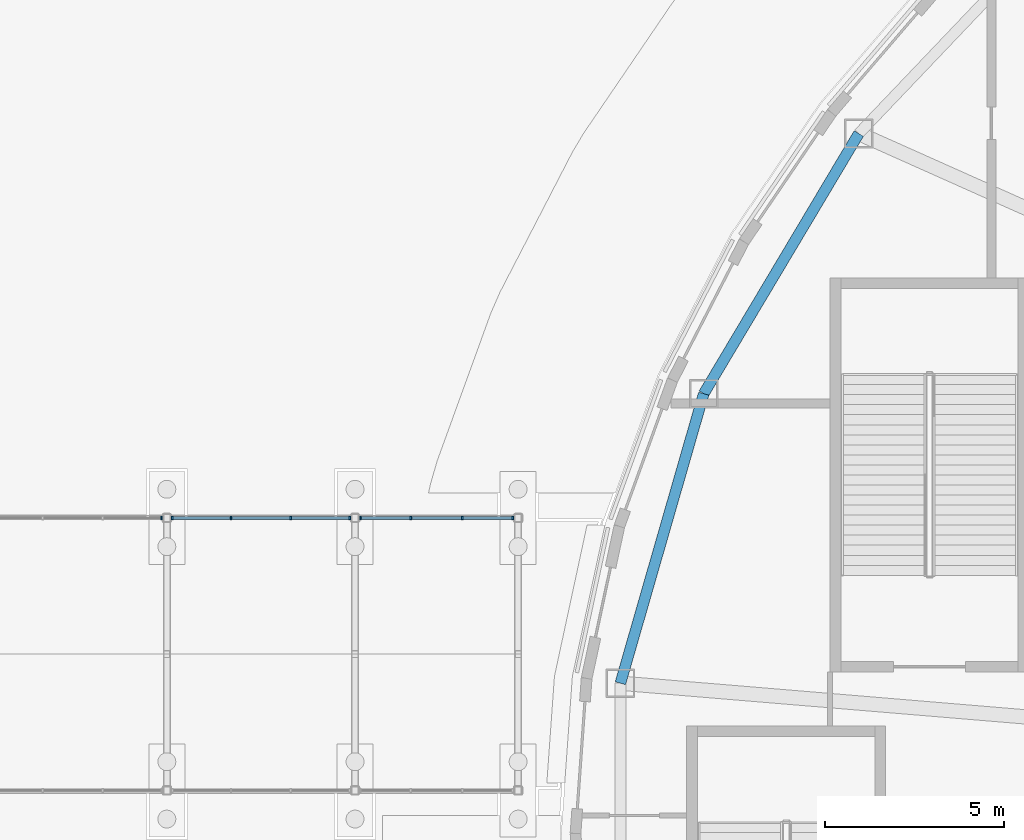
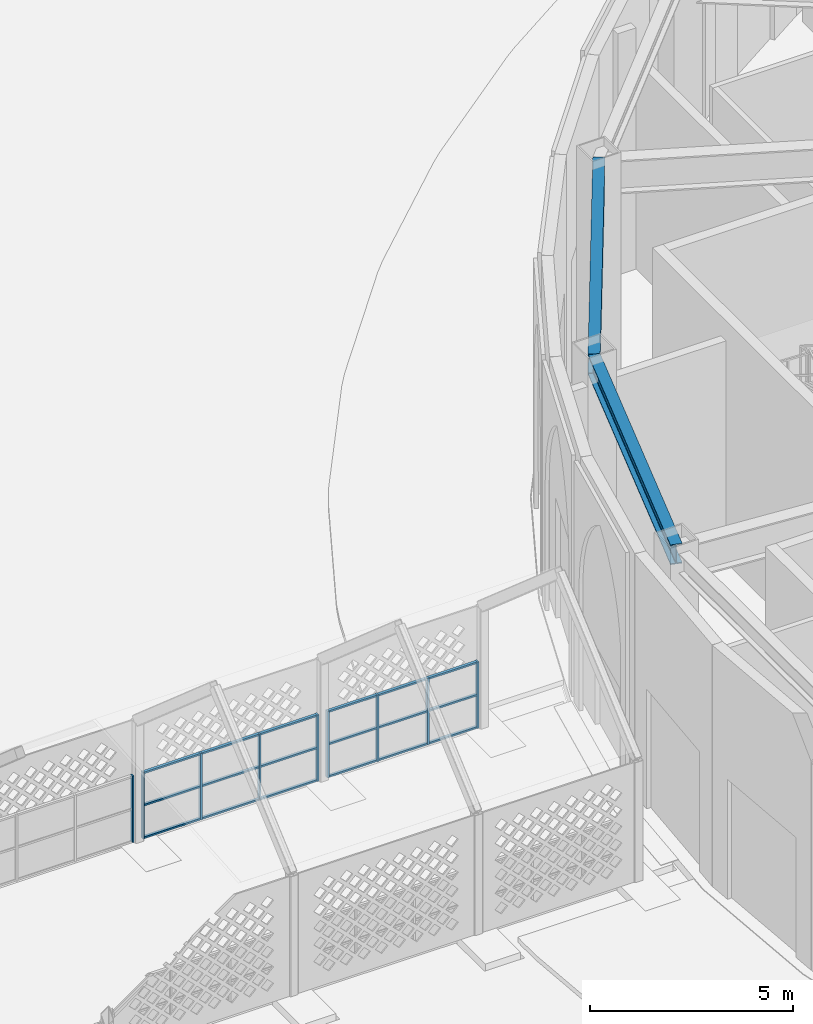
# One storey, part 29 of 79: 27 members, 2 beams, 3 elements without a shape of their own.
"""IFC4 building model written with IfcOpenShell, lengths in metres."""

from ifc_helpers import new_model, si_unit, direction, frame, origin, origin_2d, place, context, subcontext, project, spatial, rectangle, i_section, extrude, material, layer, layer_set, material_profile, profile_set, type_object, element, aggregate, save


model = new_model("IFC4")

# Units and contexts
model_context = context("Model", 3, precision=1e-05, world=origin(), true_north=direction((0.0, 1.0)))
body_context = subcontext(model_context, "Body", "Model", "MODEL_VIEW")
ifc_project = project(units=[si_unit("LENGTHUNIT", "METRE"), si_unit("AREAUNIT", "SQUARE_METRE"), si_unit("VOLUMEUNIT", "CUBIC_METRE"), si_unit("PLANEANGLEUNIT", "RADIAN"), si_unit("MASSUNIT", "GRAM", prefix="KILO")], contexts=[model_context])

# Site, building, storey
site_placement = place(None, origin())
site = spatial("IfcSite", under=ifc_project, at=site_placement, CompositionType="ELEMENT")
building_placement = place(site_placement, origin())
building = spatial("IfcBuilding", under=site, at=building_placement, Name="Noorbagh Ring Tower", CompositionType="ELEMENT")
storey_placement = place(building_placement, origin())
storey = spatial("IfcBuildingStorey", under=building, at=storey_placement, Name="L00", CompositionType="ELEMENT", Elevation=0.0)

# Curtain wall, member
ifc_material_1 = material(Name="Aluminium and glass", Category="aluminium")
ifc_layer = layer(ifc_material_1, 0.10009765625)
ifc_layer_set = layer_set([ifc_layer], Name="Aluminium and glass")
curtain_wall_type = type_object("IfcCurtainWallType", Name="AR-CW", PredefinedType="NOTDEFINED", material=ifc_layer_set)
curtain_wall_1_placement = place(storey_placement, origin())
curtain_wall_1 = element("IfcCurtainWall", 1, at=curtain_wall_1_placement, inside=storey, type_object=curtain_wall_type, Name="Arcade glazing", PredefinedType="NOTDEFINED")
ifc_material_2 = material(Name="Aluminium", Category="aluminium")
ifc_material_profile_1 = material_profile(ifc_material_2, rectangle(XDim=0.10009765625, YDim=0.050048828125, at=origin_2d()), Name="AL 100x50")
ifc_profile_set_1 = profile_set([ifc_material_profile_1], Name="Aluminium")
member_type_1 = type_object("IfcMemberType", Name="AR-CW-MULLION", PredefinedType="MULLION", material=ifc_profile_set_1)
member_1_placement = place(storey_placement, frame((-63.14990234375, 8.800048828125, 0.0), z_axis=(0.0, 0.0, 1.0), x_axis=(0.0, 1.0, 0.0)))
member_1 = element("IfcMember", 2, at=member_1_placement, type_object=member_type_1, Name="CW-A mullion 4", PredefinedType="MULLION", context=body_context, shape_type="SweptSolid", body=[
    extrude(rectangle(XDim=0.10009765625, YDim=0.050048828125, at=origin_2d()), origin(), (0.0, 0.0, 1.0), 2.0),
])
aggregate(curtain_wall_1, [member_1])

# Curtain wall, members
curtain_wall_2_placement = place(storey_placement, origin())
curtain_wall_2 = element("IfcCurtainWall", 3, at=curtain_wall_2_placement, inside=storey, type_object=curtain_wall_type, Name="Arcade glazing", PredefinedType="NOTDEFINED")
member_2_placement = place(storey_placement, frame((-62.85009765625, 8.800048828125, 0.0), z_axis=(0.0, 0.0, 1.0), x_axis=(0.0, 1.0, 0.0)))
member_2 = element("IfcMember", 4, at=member_2_placement, type_object=member_type_1, Name="CW-A mullion 1", PredefinedType="MULLION", context=body_context, shape_type="SweptSolid", body=[
    extrude(rectangle(XDim=0.10009765625, YDim=0.050048828125, at=origin_2d()), origin(), (0.0, 0.0, 1.0), 2.0),
])
member_3_placement = place(storey_placement, frame((-61.208251953125, 8.800048828125, 0.0), z_axis=(0.0, 0.0, 1.0), x_axis=(0.0, 1.0, 0.0)))
member_3 = element("IfcMember", 5, at=member_3_placement, type_object=member_type_1, Name="CW-A mullion 2", PredefinedType="MULLION", context=body_context, shape_type="SweptSolid", body=[
    extrude(rectangle(XDim=0.10009765625, YDim=0.050048828125, at=origin_2d()), origin(), (0.0, 0.0, 1.0), 2.0),
])
member_4_placement = place(storey_placement, frame((-59.541748046875, 8.800048828125, 0.0), z_axis=(0.0, 0.0, 1.0), x_axis=(0.0, 1.0, 0.0)))
member_4 = element("IfcMember", 6, at=member_4_placement, type_object=member_type_1, Name="CW-A mullion 3", PredefinedType="MULLION", context=body_context, shape_type="SweptSolid", body=[
    extrude(rectangle(XDim=0.10009765625, YDim=0.050048828125, at=origin_2d()), origin(), (0.0, 0.0, 1.0), 2.0),
])
member_5_placement = place(storey_placement, frame((-57.89990234375, 8.800048828125, 0.0), z_axis=(0.0, 0.0, 1.0), x_axis=(0.0, 1.0, 0.0)))
member_5 = element("IfcMember", 7, at=member_5_placement, type_object=member_type_1, Name="CW-A mullion 4", PredefinedType="MULLION", context=body_context, shape_type="SweptSolid", body=[
    extrude(rectangle(XDim=0.10009765625, YDim=0.050048828125, at=origin_2d()), origin(), (0.0, 0.0, 1.0), 2.0),
])

curtain_wall_3_placement = place(storey_placement, origin())
curtain_wall_3 = element("IfcCurtainWall", 8, at=curtain_wall_3_placement, inside=storey, type_object=curtain_wall_type, Name="Arcade glazing", PredefinedType="NOTDEFINED")
member_6_placement = place(storey_placement, frame((-57.60009765625, 8.800048828125, 0.0), z_axis=(0.0, 0.0, 1.0), x_axis=(0.0, 1.0, 0.0)))
member_6 = element("IfcMember", 9, at=member_6_placement, type_object=member_type_1, Name="CW-A mullion 1", PredefinedType="MULLION", context=body_context, shape_type="SweptSolid", body=[
    extrude(rectangle(XDim=0.10009765625, YDim=0.050048828125, at=origin_2d()), origin(), (0.0, 0.0, 1.0), 2.0),
])
member_7_placement = place(storey_placement, frame((-56.191650390625, 8.800048828125, 0.0), z_axis=(0.0, 0.0, 1.0), x_axis=(0.0, 1.0, 0.0)))
member_7 = element("IfcMember", 10, at=member_7_placement, type_object=member_type_1, Name="CW-A mullion 2", PredefinedType="MULLION", context=body_context, shape_type="SweptSolid", body=[
    extrude(rectangle(XDim=0.10009765625, YDim=0.050048828125, at=origin_2d()), origin(), (0.0, 0.0, 1.0), 2.0),
])
member_8_placement = place(storey_placement, frame((-54.75830078125, 8.800048828125, 0.0), z_axis=(0.0, 0.0, 1.0), x_axis=(0.0, 1.0, 0.0)))
member_8 = element("IfcMember", 11, at=member_8_placement, type_object=member_type_1, Name="CW-A mullion 3", PredefinedType="MULLION", context=body_context, shape_type="SweptSolid", body=[
    extrude(rectangle(XDim=0.10009765625, YDim=0.050048828125, at=origin_2d()), origin(), (0.0, 0.0, 1.0), 2.0),
])
member_9_placement = place(storey_placement, frame((-53.35009765625, 8.800048828125, 0.0), z_axis=(0.0, 0.0, 1.0), x_axis=(0.0, 1.0, 0.0)))
member_9 = element("IfcMember", 12, at=member_9_placement, type_object=member_type_1, Name="CW-A mullion 4", PredefinedType="MULLION", context=body_context, shape_type="SweptSolid", body=[
    extrude(rectangle(XDim=0.10009765625, YDim=0.050048828125, at=origin_2d()), origin(), (0.0, 0.0, 1.0), 2.0),
])

# Member
ifc_material_3 = material(Name="Aluminium", Category="aluminium")
ifc_material_profile_2 = material_profile(ifc_material_3, rectangle(XDim=0.080078125, YDim=0.050048828125, at=origin_2d()), Name="AL 80x50")
ifc_profile_set_2 = profile_set([ifc_material_profile_2], Name="Aluminium")
member_type_2 = type_object("IfcMemberType", Name="AR-CW-TRANSOM", PredefinedType="USERDEFINED", material=ifc_profile_set_2)
member_10_placement = place(storey_placement, frame((-62.824951171875, 8.800048828125, 0.02490234375), z_axis=(1.0, 0.0, 0.0), x_axis=(0.0, 1.0, 0.0)))
member_10 = element("IfcMember", 13, at=member_10_placement, type_object=member_type_2, Name="CW-A transom 1.1", ObjectType="TRANSOM", PredefinedType="USERDEFINED", context=body_context, shape_type="SweptSolid", body=[
    extrude(rectangle(XDim=0.080078125, YDim=0.050048828125, at=origin_2d()), origin(), (0.0, 0.0, 1.0), 1.591552734375),
])

member_11_placement = place(storey_placement, frame((-62.824951171875, 8.800048828125, 1.0), z_axis=(1.0, 0.0, 0.0), x_axis=(0.0, 1.0, 0.0)))
member_11 = element("IfcMember", 14, at=member_11_placement, type_object=member_type_2, Name="CW-A transom 1.2", ObjectType="TRANSOM", PredefinedType="USERDEFINED", context=body_context, shape_type="SweptSolid", body=[
    extrude(rectangle(XDim=0.080078125, YDim=0.050048828125, at=origin_2d()), origin(), (0.0, 0.0, 1.0), 1.591552734375),
])

member_12_placement = place(storey_placement, frame((-62.824951171875, 8.800048828125, 1.97509765625), z_axis=(1.0, 0.0, 0.0), x_axis=(0.0, 1.0, 0.0)))
member_12 = element("IfcMember", 15, at=member_12_placement, type_object=member_type_2, Name="CW-A transom 1.3", ObjectType="TRANSOM", PredefinedType="USERDEFINED", context=body_context, shape_type="SweptSolid", body=[
    extrude(rectangle(XDim=0.080078125, YDim=0.050048828125, at=origin_2d()), origin(), (0.0, 0.0, 1.0), 1.591552734375),
])

member_13_placement = place(storey_placement, frame((-61.183349609375, 8.800048828125, 0.02490234375), z_axis=(1.0, 0.0, 0.0), x_axis=(0.0, 1.0, 0.0)))
member_13 = element("IfcMember", 16, at=member_13_placement, type_object=member_type_2, Name="CW-A transom 2.1", ObjectType="TRANSOM", PredefinedType="USERDEFINED", context=body_context, shape_type="SweptSolid", body=[
    extrude(rectangle(XDim=0.080078125, YDim=0.050048828125, at=origin_2d()), origin(), (0.0, 0.0, 1.0), 1.61669921875),
])

member_14_placement = place(storey_placement, frame((-61.183349609375, 8.800048828125, 1.0), z_axis=(1.0, 0.0, 0.0), x_axis=(0.0, 1.0, 0.0)))
member_14 = element("IfcMember", 17, at=member_14_placement, type_object=member_type_2, Name="CW-A transom 2.2", ObjectType="TRANSOM", PredefinedType="USERDEFINED", context=body_context, shape_type="SweptSolid", body=[
    extrude(rectangle(XDim=0.080078125, YDim=0.050048828125, at=origin_2d()), origin(), (0.0, 0.0, 1.0), 1.61669921875),
])

member_15_placement = place(storey_placement, frame((-61.183349609375, 8.800048828125, 1.97509765625), z_axis=(1.0, 0.0, 0.0), x_axis=(0.0, 1.0, 0.0)))
member_15 = element("IfcMember", 18, at=member_15_placement, type_object=member_type_2, Name="CW-A transom 2.3", ObjectType="TRANSOM", PredefinedType="USERDEFINED", context=body_context, shape_type="SweptSolid", body=[
    extrude(rectangle(XDim=0.080078125, YDim=0.050048828125, at=origin_2d()), origin(), (0.0, 0.0, 1.0), 1.61669921875),
])

member_16_placement = place(storey_placement, frame((-59.5166015625, 8.800048828125, 0.02490234375), z_axis=(1.0, 0.0, 0.0), x_axis=(0.0, 1.0, 0.0)))
member_16 = element("IfcMember", 19, at=member_16_placement, type_object=member_type_2, Name="CW-A transom 3.1", ObjectType="TRANSOM", PredefinedType="USERDEFINED", context=body_context, shape_type="SweptSolid", body=[
    extrude(rectangle(XDim=0.080078125, YDim=0.050048828125, at=origin_2d()), origin(), (0.0, 0.0, 1.0), 1.591552734375),
])

member_17_placement = place(storey_placement, frame((-59.5166015625, 8.800048828125, 1.0), z_axis=(1.0, 0.0, 0.0), x_axis=(0.0, 1.0, 0.0)))
member_17 = element("IfcMember", 20, at=member_17_placement, type_object=member_type_2, Name="CW-A transom 3.2", ObjectType="TRANSOM", PredefinedType="USERDEFINED", context=body_context, shape_type="SweptSolid", body=[
    extrude(rectangle(XDim=0.080078125, YDim=0.050048828125, at=origin_2d()), origin(), (0.0, 0.0, 1.0), 1.591552734375),
])

member_18_placement = place(storey_placement, frame((-59.5166015625, 8.800048828125, 1.97509765625), z_axis=(1.0, 0.0, 0.0), x_axis=(0.0, 1.0, 0.0)))
member_18 = element("IfcMember", 21, at=member_18_placement, type_object=member_type_2, Name="CW-A transom 3.3", ObjectType="TRANSOM", PredefinedType="USERDEFINED", context=body_context, shape_type="SweptSolid", body=[
    extrude(rectangle(XDim=0.080078125, YDim=0.050048828125, at=origin_2d()), origin(), (0.0, 0.0, 1.0), 1.591552734375),
])

aggregate(curtain_wall_2, [member_2, member_3, member_4, member_5, member_10, member_11, member_12, member_13, member_14, member_15, member_16, member_17, member_18])

member_19_placement = place(storey_placement, frame((-57.574951171875, 8.800048828125, 0.02490234375), z_axis=(1.0, 0.0, 0.0), x_axis=(0.0, 1.0, 0.0)))
member_19 = element("IfcMember", 22, at=member_19_placement, type_object=member_type_2, Name="CW-A transom 1.1", ObjectType="TRANSOM", PredefinedType="USERDEFINED", context=body_context, shape_type="SweptSolid", body=[
    extrude(rectangle(XDim=0.080078125, YDim=0.050048828125, at=origin_2d()), origin(), (0.0, 0.0, 1.0), 1.3583984375),
])

member_20_placement = place(storey_placement, frame((-57.574951171875, 8.800048828125, 1.0), z_axis=(1.0, 0.0, 0.0), x_axis=(0.0, 1.0, 0.0)))
member_20 = element("IfcMember", 23, at=member_20_placement, type_object=member_type_2, Name="CW-A transom 1.2", ObjectType="TRANSOM", PredefinedType="USERDEFINED", context=body_context, shape_type="SweptSolid", body=[
    extrude(rectangle(XDim=0.080078125, YDim=0.050048828125, at=origin_2d()), origin(), (0.0, 0.0, 1.0), 1.3583984375),
])

member_21_placement = place(storey_placement, frame((-57.574951171875, 8.800048828125, 1.97509765625), z_axis=(1.0, 0.0, 0.0), x_axis=(0.0, 1.0, 0.0)))
member_21 = element("IfcMember", 24, at=member_21_placement, type_object=member_type_2, Name="CW-A transom 1.3", ObjectType="TRANSOM", PredefinedType="USERDEFINED", context=body_context, shape_type="SweptSolid", body=[
    extrude(rectangle(XDim=0.080078125, YDim=0.050048828125, at=origin_2d()), origin(), (0.0, 0.0, 1.0), 1.3583984375),
])

member_22_placement = place(storey_placement, frame((-56.166748046875, 8.800048828125, 0.02490234375), z_axis=(1.0, 0.0, 0.0), x_axis=(0.0, 1.0, 0.0)))
member_22 = element("IfcMember", 25, at=member_22_placement, type_object=member_type_2, Name="CW-A transom 2.1", ObjectType="TRANSOM", PredefinedType="USERDEFINED", context=body_context, shape_type="SweptSolid", body=[
    extrude(rectangle(XDim=0.080078125, YDim=0.050048828125, at=origin_2d()), origin(), (0.0, 0.0, 1.0), 1.38330078125),
])

member_23_placement = place(storey_placement, frame((-56.166748046875, 8.800048828125, 1.0), z_axis=(1.0, 0.0, 0.0), x_axis=(0.0, 1.0, 0.0)))
member_23 = element("IfcMember", 26, at=member_23_placement, type_object=member_type_2, Name="CW-A transom 2.2", ObjectType="TRANSOM", PredefinedType="USERDEFINED", context=body_context, shape_type="SweptSolid", body=[
    extrude(rectangle(XDim=0.080078125, YDim=0.050048828125, at=origin_2d()), origin(), (0.0, 0.0, 1.0), 1.38330078125),
])

member_24_placement = place(storey_placement, frame((-56.166748046875, 8.800048828125, 1.97509765625), z_axis=(1.0, 0.0, 0.0), x_axis=(0.0, 1.0, 0.0)))
member_24 = element("IfcMember", 27, at=member_24_placement, type_object=member_type_2, Name="CW-A transom 2.3", ObjectType="TRANSOM", PredefinedType="USERDEFINED", context=body_context, shape_type="SweptSolid", body=[
    extrude(rectangle(XDim=0.080078125, YDim=0.050048828125, at=origin_2d()), origin(), (0.0, 0.0, 1.0), 1.38330078125),
])

member_25_placement = place(storey_placement, frame((-54.7333984375, 8.800048828125, 0.02490234375), z_axis=(1.0, 0.0, 0.0), x_axis=(0.0, 1.0, 0.0)))
member_25 = element("IfcMember", 28, at=member_25_placement, type_object=member_type_2, Name="CW-A transom 3.1", ObjectType="TRANSOM", PredefinedType="USERDEFINED", context=body_context, shape_type="SweptSolid", body=[
    extrude(rectangle(XDim=0.080078125, YDim=0.050048828125, at=origin_2d()), origin(), (0.0, 0.0, 1.0), 1.3583984375),
])

member_26_placement = place(storey_placement, frame((-54.7333984375, 8.800048828125, 1.0), z_axis=(1.0, 0.0, 0.0), x_axis=(0.0, 1.0, 0.0)))
member_26 = element("IfcMember", 29, at=member_26_placement, type_object=member_type_2, Name="CW-A transom 3.2", ObjectType="TRANSOM", PredefinedType="USERDEFINED", context=body_context, shape_type="SweptSolid", body=[
    extrude(rectangle(XDim=0.080078125, YDim=0.050048828125, at=origin_2d()), origin(), (0.0, 0.0, 1.0), 1.3583984375),
])

member_27_placement = place(storey_placement, frame((-54.7333984375, 8.800048828125, 1.97509765625), z_axis=(1.0, 0.0, 0.0), x_axis=(0.0, 1.0, 0.0)))
member_27 = element("IfcMember", 30, at=member_27_placement, type_object=member_type_2, Name="CW-A transom 3.3", ObjectType="TRANSOM", PredefinedType="USERDEFINED", context=body_context, shape_type="SweptSolid", body=[
    extrude(rectangle(XDim=0.080078125, YDim=0.050048828125, at=origin_2d()), origin(), (0.0, 0.0, 1.0), 1.3583984375),
])

aggregate(curtain_wall_3, [member_6, member_7, member_8, member_9, member_19, member_20, member_21, member_22, member_23, member_24, member_25, member_26, member_27])

# Beams
ifc_material_4 = material(Name="Steel S355", Category="steel")
ifc_material_profile_3 = material_profile(ifc_material_4, i_section(OverallWidth=0.300048828125, OverallDepth=0.60009765625, WebThickness=0.015380859375, FlangeThickness=0.030029296875, FilletRadius=0.027099609375, at=origin_2d()), Name="HEB600")
ifc_profile_set_3 = profile_set([ifc_material_profile_3], Name="Steel S355")
beam_type = type_object("IfcBeamType", Name="GND-EDGE-BEAM-HEB600", PredefinedType="BEAM", material=ifc_profile_set_3)
beam_1_placement = place(storey_placement, frame((-43.6962890625, 19.52490234375, 6.949951171875), z_axis=(-0.511999358166, -0.858985830638, 0.0), x_axis=(0.858985830638, -0.511999358166, 0.0)))
element("IfcBeam", 31, at=beam_1_placement, inside=storey, type_object=beam_type, Name="L00/bm/ERP-15", PredefinedType="BEAM", context=body_context, shape_type="SweptSolid", body=[
    extrude(i_section(OverallWidth=0.300048828125, OverallDepth=0.60009765625, WebThickness=0.015380859375, FlangeThickness=0.030029296875, FilletRadius=0.027099609375, at=origin_2d()), origin(), (0.0, 0.0, 1.0), 8.449462890625),
])
beam_2_placement = place(storey_placement, frame((-48.0224609375, 12.266845703125, 6.949951171875), z_axis=(-0.276646874617, -0.960971647222, 0.0), x_axis=(0.960971647222, -0.276646874617, 0.0)))
element("IfcBeam", 32, at=beam_2_placement, inside=storey, type_object=beam_type, Name="L00/bm/ERP-16", PredefinedType="BEAM", context=body_context, shape_type="SweptSolid", body=[
    extrude(i_section(OverallWidth=0.300048828125, OverallDepth=0.60009765625, WebThickness=0.015380859375, FlangeThickness=0.030029296875, FilletRadius=0.027099609375, at=origin_2d()), origin(), (0.0, 0.0, 1.0), 8.403076171875),
])

save(model, "model.ifc")
